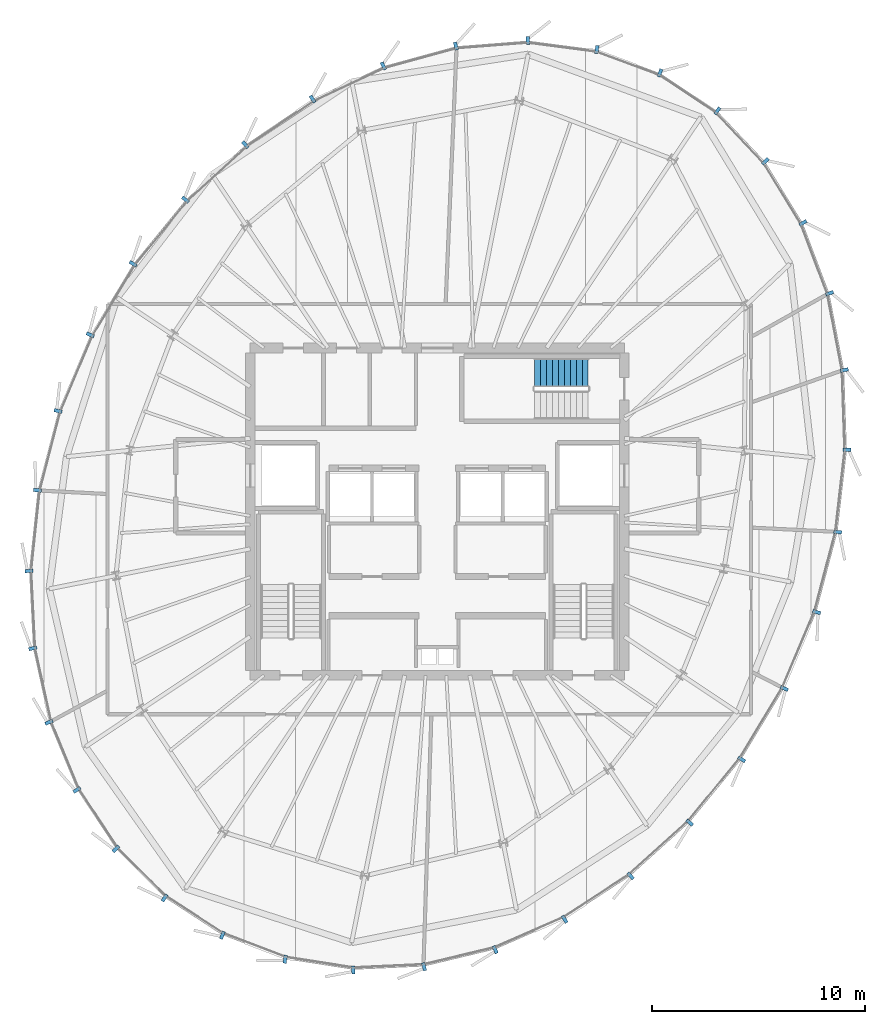
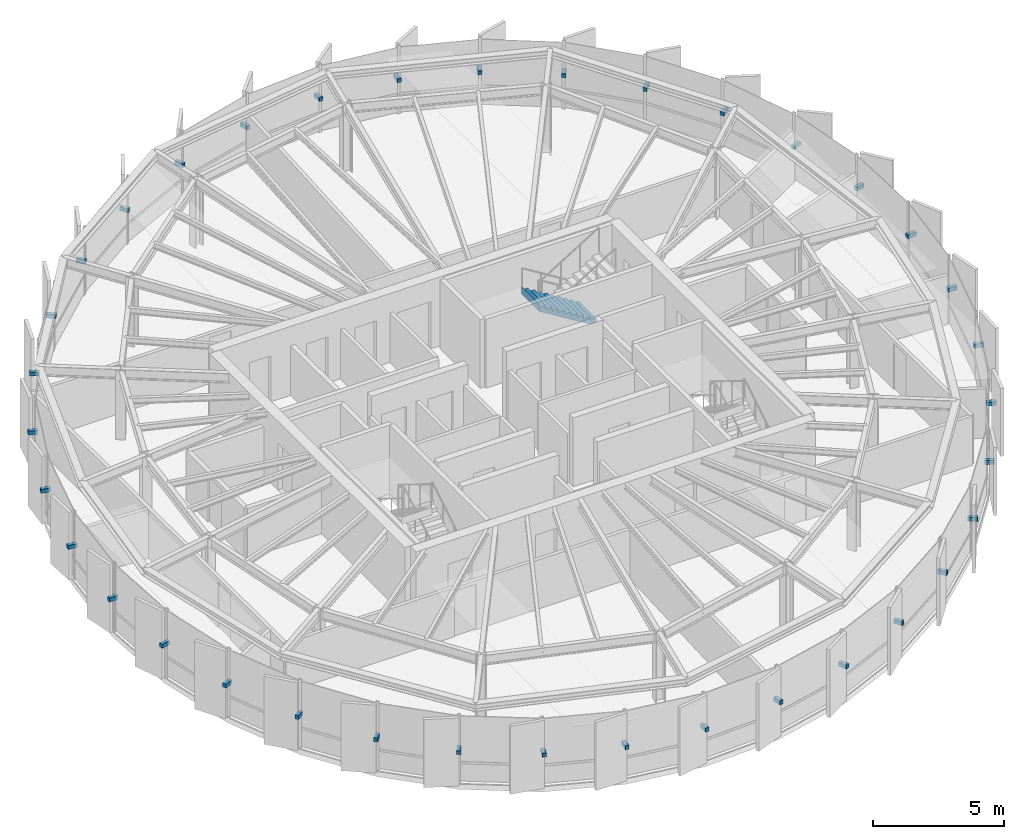
# One storey, part 27 of 31: 36 discrete accessories, 1 stair flight, 1 element without a shape of its own.
"""IFC4 building model written with IfcOpenShell, lengths in metres."""

from ifc_helpers import new_model, si_unit, direction, frame, origin, origin_2d, place, context, subcontext, project, spatial, polyline, rectangle, outline, extrude, source, transform, mapped, material, type_object, element, aggregate, save


model = new_model("IFC4")

# Units and contexts
model_context = context("Model", 3, precision=1e-05, world=origin(), true_north=direction((0.0, 1.0)))
body_context = subcontext(model_context, "Body", "Model", "MODEL_VIEW")
ifc_project = project(units=[si_unit("LENGTHUNIT", "METRE"), si_unit("AREAUNIT", "SQUARE_METRE"), si_unit("VOLUMEUNIT", "CUBIC_METRE"), si_unit("PLANEANGLEUNIT", "RADIAN"), si_unit("MASSUNIT", "GRAM", prefix="KILO"), si_unit("THERMODYNAMICTEMPERATUREUNIT", "KELVIN")], contexts=[model_context])

# Site, building, storey
site_placement = place(None, origin())
site = spatial("IfcSite", under=ifc_project, at=site_placement, CompositionType="ELEMENT")
building_placement = place(site_placement, origin())
building = spatial("IfcBuilding", under=site, at=building_placement, Name="Kethvar Cultural Tower", CompositionType="ELEMENT")
storey_placement = place(building_placement, frame((0.0, 0.0, 287.050048828125)))
storey = spatial("IfcBuildingStorey", under=building, at=storey_placement, Name="L76", CompositionType="ELEMENT", Elevation=287.050048828125)

# Stair, stair flight
ifc_material_1 = material(Name="Concrete C40/50", Category="concrete")
stair_type = type_object("IfcStairType", Name="ST-DOGLEG-135", PredefinedType="HALF_TURN_STAIR", material=ifc_material_1)
stair_placement = place(storey_placement, origin())
stair = element("IfcStair", 1, at=stair_placement, inside=storey, type_object=stair_type, Name="L76 Core Exit Stair 3", PredefinedType="HALF_TURN_STAIR")
stair_flight_type = type_object("IfcStairFlightType", Name="FL-STRAIGHT-135", PredefinedType="STRAIGHT", material=ifc_material_1)
stair_flight_placement = place(storey_placement, frame((53.89990234375, 34.3349609375, 0.0), z_axis=(0.0, 0.0, 1.0), x_axis=(-1.0, 0.0, 0.0)))
stair_flight = element("IfcStairFlight", 2, at=stair_flight_placement, type_object=stair_flight_type, Name="ST-03 flight 1", NumberOfRisers=10, NumberOfTreads=9, PredefinedType="STRAIGHT", RiserHeight=0.1725, TreadLength=0.28, context=body_context, shape_type="SweptSolid", body=[
    extrude(outline(polyline([(-0.0009765625, -0.0009765625), (-0.0009765625, 0.172607421875), (0.280029296875, 0.172607421875), (0.280029296875, 0.344970703125), (0.56005859375, 0.344970703125), (0.56005859375, 0.517578125), (0.840087890625, 0.517578125), (0.840087890625, 0.68994140625), (1.1201171875, 0.68994140625), (1.1201171875, 0.862548828125), (1.39990234375, 0.862548828125), (1.39990234375, 1.034912109375), (1.679931640625, 1.034912109375), (1.679931640625, 1.20751953125), (1.9599609375, 1.20751953125), (1.9599609375, 1.3798828125), (2.239990234375, 1.3798828125), (2.239990234375, 1.552490234375), (2.52001953125, 1.552490234375), (2.52001953125, 1.72509765625), (2.52099609375, 1.72509765625), (2.52099609375, 1.37646484375), (0.285888671875, 0.0), (0.0, -0.0009765625), (-0.0009765625, -0.0009765625)])), frame((0.0, 0.675048828125, 0.0), z_axis=(0.0, -1.0, 0.0), x_axis=(1.0, 0.0, 0.0)), (0.0, 0.0, 1.0), 1.35009765625),
])
aggregate(stair, [stair_flight])

# Discrete accessories
ifc_material_2 = material(Name="Steel S355J2", Category="steel")
discrete_accessory_type = type_object("IfcDiscreteAccessoryType", Name="Steel Fin Bracket BRK-01", PredefinedType="BRACKET", material=ifc_material_2)
shared_shape = source(origin(), body_context, "Body", "SweptSolid", [
    extrude(rectangle(XDim=0.3798828125, YDim=0.159912109375, at=origin_2d()), origin(), (0.0, 0.0, 1.0), 0.179931640625),
])
for number, where, z_axis, x_axis, name in (
    (3, (57.27490234375, 48.43896484375, 1.51513671875), (0.0, 0.0, 1.0), (0.348081239861, 0.9374643729, 0.0), "L76 Terracotta Fin Bracket 1.1"),
    (4, (54.30517578125, 49.541748046875, 1.51513671875), (0.0, 0.0, 1.0), (0.130180104731, 0.991490363207, 0.0), "L76 Terracotta Fin Bracket 1.2"),
    (5, (51.0595703125, 49.9677734375, 1.51513671875), (0.0, 0.0, 1.0), (-0.078285099635, 0.996931012245, 0.0), "L76 Terracotta Fin Bracket 1.3"),
    (6, (47.67529296875, 49.701904296875, 1.51513671875), (0.0, 0.0, 1.0), (-0.264209727938, 0.964465250625, 0.0), "L76 Terracotta Fin Bracket 1.4"),
    (7, (44.262939453125, 48.766845703125, 1.51513671875), (0.0, 0.0, 1.0), (-0.424199422745, 0.905568799011, 0.0), "L76 Terracotta Fin Bracket 1.5"),
    (8, (40.93408203125, 47.20751953125, 1.51513671875), (0.0, 0.0, 1.0), (-0.560349912828, 0.828255984098, 0.0), "L76 Terracotta Fin Bracket 1.6"),
    (9, (37.77099609375, 45.061279296875, 1.51513671875), (0.0, 0.0, 1.0), (-0.676104759618, 0.736805506238, 0.0), "L76 Terracotta Fin Bracket 2.1"),
    (10, (34.95263671875, 42.475341796875, 1.51513671875), (0.0, 0.0, 1.0), (-0.774392644082, 0.632705328563, 0.0), "L76 Terracotta Fin Bracket 2.2"),
    (11, (32.48779296875, 39.458251953125, 1.51513671875), (0.0, 0.0, 1.0), (-0.856357223631, 0.516383874201, 0.0), "L76 Terracotta Fin Bracket 2.3"),
    (12, (30.4736328125, 36.117919921875, 1.51513671875), (0.0, 0.0, 1.0), (-0.921185405566, 0.38912395014, 0.0), "L76 Terracotta Fin Bracket 2.4"),
    (13, (28.960205078125, 32.53369140625, 1.51513671875), (0.0, 0.0, 1.0), (-0.967665161341, 0.252238251515, 0.0), "L76 Terracotta Fin Bracket 2.5"),
    (14, (27.98828125, 28.805908203125, 1.51513671875), (0.0, 0.0, 1.0), (-0.994374976712, 0.105916975449, 0.0), "L76 Terracotta Fin Bracket 2.6"),
    (15, (27.58984375, 25.01171875, 1.51513671875), (0.0, 0.0, 1.0), (-0.998754434335, -0.049895690161, 0.0), "L76 Terracotta Fin Bracket 3.1"),
    (16, (27.771484375, 21.37255859375, 1.51513671875), (0.0, 0.0, 1.0), (-0.976896613081, -0.213712440794, 0.0), "L76 Terracotta Fin Bracket 3.2"),
    (17, (28.533203125, 17.892578125, 1.51513671875), (0.0, 0.0, 1.0), (-0.923879532511, -0.382683432365, 0.0), "L76 Terracotta Fin Bracket 3.3"),
    (18, (29.85009765625, 14.7138671875, 1.51513671875), (0.0, 0.0, 1.0), (-0.835135979853, -0.550043539327, 0.0), "L76 Terracotta Fin Bracket 3.4"),
    (19, (31.681884765625, 11.9326171875, 1.51513671875), (0.0, 0.0, 1.0), (-0.708339837725, -0.705871570679, 0.0), "L76 Terracotta Fin Bracket 3.5"),
    (20, (33.973388671875, 9.63330078125, 1.51513671875), (0.0, 0.0, 1.0), (-0.545955743199, -0.837814016633, 0.0), "L76 Terracotta Fin Bracket 3.6"),
    (21, (36.68798828125, 7.87353515625, 1.51513671875), (0.0, 0.0, 1.0), (-0.356901043325, -0.934142197566, 0.0), "L76 Terracotta Fin Bracket 4.1"),
    (22, (39.644287109375, 6.744384765625, 1.51513671875), (0.0, 0.0, 1.0), (-0.154710386299, -0.987959865769, 0.0), "L76 Terracotta Fin Bracket 4.2"),
    (23, (42.85107421875, 6.242431640625, 1.51513671875), (0.0, 0.0, 1.0), (0.045886041654, -0.99894668085, 0.0), "L76 Terracotta Fin Bracket 4.3"),
    (24, (46.177734375, 6.3955078125, 1.51513671875), (0.0, 0.0, 1.0), (0.233445363856, -0.972369920398, 0.0), "L76 Terracotta Fin Bracket 4.4"),
    (25, (49.5234375, 7.19921875, 1.51513671875), (0.0, 0.0, 1.0), (0.401308425672, -0.91594298266, 0.0), "L76 Terracotta Fin Bracket 4.5"),
    (26, (52.785888671875, 8.62841796875, 1.51513671875), (0.0, 0.0, 1.0), (0.546686665878, -0.837337261414, 0.0), "L76 Terracotta Fin Bracket 4.6"),
    (27, (55.893310546875, 10.664306640625, 1.51513671875), (0.0, 0.0, 1.0), (0.670167579691, -0.742209818805, 0.0), "L76 Terracotta Fin Bracket 5.1"),
    (28, (58.672119140625, 13.17333984375, 1.51513671875), (0.0, 0.0, 1.0), (0.772844343101, -0.634595636084, 0.0), "L76 Terracotta Fin Bracket 5.2"),
    (29, (61.11669921875, 16.15087890625, 1.51513671875), (0.0, 0.0, 1.0), (0.8562670846, -0.516533328867, 0.0), "L76 Terracotta Fin Bracket 5.3"),
    (30, (63.126220703125, 19.482177734375, 1.51513671875), (0.0, 0.0, 1.0), (0.921117476594, -0.389284721396, 0.0), "L76 Terracotta Fin Bracket 5.4"),
    (31, (64.64453125, 23.0751953125, 1.51513671875), (0.0, 0.0, 1.0), (0.967045938914, -0.254601948206, 0.0), "L76 Terracotta Fin Bracket 5.5"),
    (32, (65.63671875, 26.8427734375, 1.51513671875), (0.0, 0.0, 1.0), (0.993492582803, -0.113896830134, 0.0), "L76 Terracotta Fin Bracket 5.6"),
    (33, (66.074951171875, 30.714111328125, 1.51513671875), (0.0, 0.0, 1.0), (0.999432718929, 0.033678484729, 0.0), "L76 Terracotta Fin Bracket 6.1"),
    (34, (65.94873046875, 34.46337890625, 1.51513671875), (0.0, 0.0, 1.0), (0.981958712696, 0.18909544299, 0.0), "L76 Terracotta Fin Bracket 6.2"),
    (35, (65.25341796875, 38.072998046875, 1.51513671875), (0.0, 0.0, 1.0), (0.935567359834, 0.353148290685, 0.0), "L76 Terracotta Fin Bracket 6.3"),
    (36, (64.003662109375, 41.38330078125, 1.51513671875), (0.0, 0.0, 1.0), (0.852548958165, 0.522647370539, 0.0), "L76 Terracotta Fin Bracket 6.4"),
    (37, (62.22900390625, 44.277587890625, 1.51513671875), (0.0, 0.0, 1.0), (0.72561460789, 0.68810133034, 0.0), "L76 Terracotta Fin Bracket 6.5"),
    (38, (59.976318359375, 46.652587890625, 1.51513671875), (0.0, 0.0, 1.0), (0.553827589908, 0.832631371411, 0.0), "L76 Terracotta Fin Bracket 6.6"),
):
    element("IfcDiscreteAccessory", number, at=place(storey_placement, frame(where, z_axis=z_axis, x_axis=x_axis)), inside=storey, type_object=discrete_accessory_type, Name=name, PredefinedType="BRACKET", context=body_context, shape_type="MappedRepresentation", body=[
        mapped(shared_shape, transform((0.0, 0.0, 0.0), scale=1.0)),
    ])

save(model, "model.ifc")
